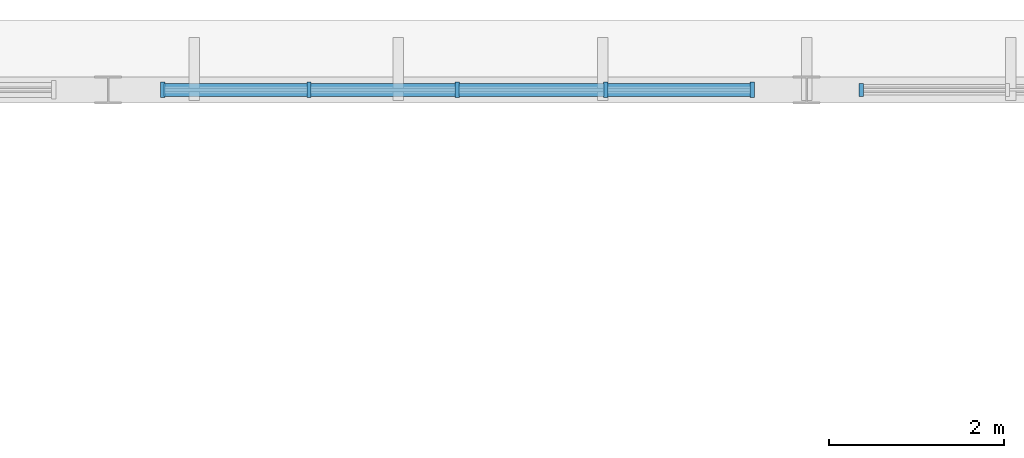
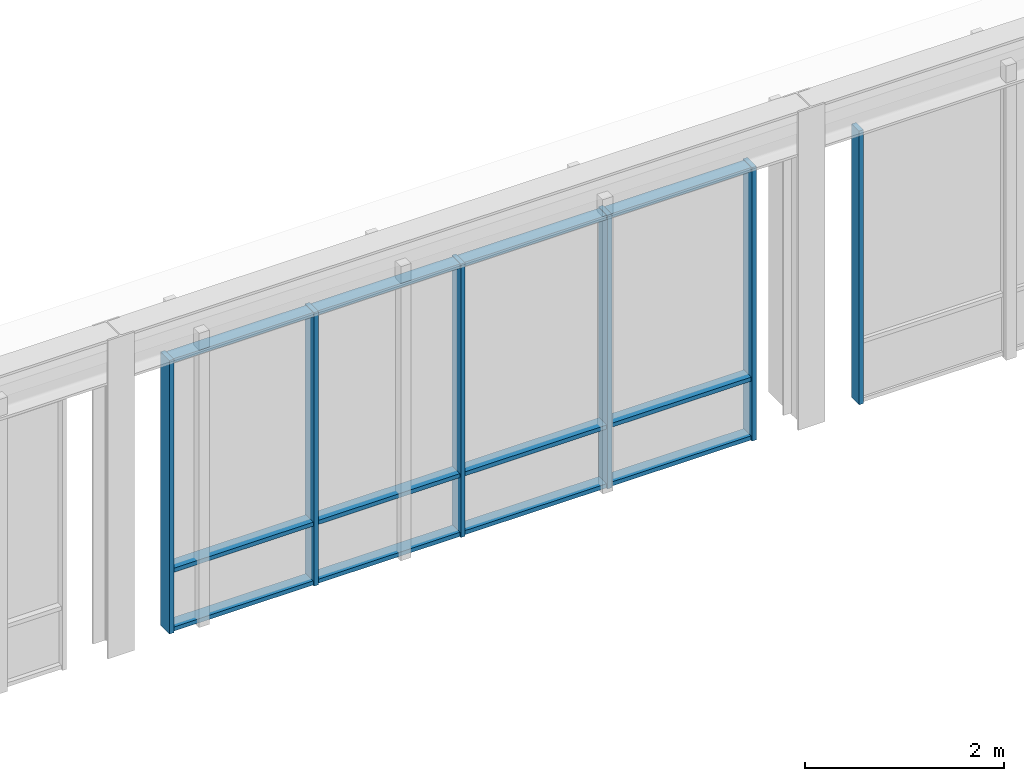
# One storey, part 43 of 98: 18 members, 2 elements without a shape of their own.
"""IFC4 building model written with IfcOpenShell, lengths in metres."""

from ifc_helpers import new_model, si_unit, direction, frame, origin, origin_2d, place, context, subcontext, project, spatial, rectangle, extrude, material, material_profile, profile_set, type_object, element, aggregate, save


model = new_model("IFC4")

# Units and contexts
model_context = context("Model", 3, precision=1e-05, world=origin(), true_north=direction((0.0, 1.0)))
body_context = subcontext(model_context, "Body", "Model", "MODEL_VIEW")
ifc_project = project(units=[si_unit("LENGTHUNIT", "METRE"), si_unit("AREAUNIT", "SQUARE_METRE"), si_unit("VOLUMEUNIT", "CUBIC_METRE"), si_unit("PLANEANGLEUNIT", "RADIAN"), si_unit("MASSUNIT", "GRAM", prefix="KILO")], contexts=[model_context])

# Site, building, storey
site_placement = place(None, origin())
site = spatial("IfcSite", under=ifc_project, at=site_placement, CompositionType="ELEMENT")
building_placement = place(site_placement, origin())
building = spatial("IfcBuilding", under=site, at=building_placement, Name="Larkveld Mobility Hub", CompositionType="ELEMENT")
storey_placement = place(building_placement, frame((0.0, 0.0, 4.5)))
storey = spatial("IfcBuildingStorey", under=building, at=storey_placement, Name="L01", CompositionType="ELEMENT", Elevation=4.5)

# Curtain wall, member
ifc_material = material(Name="Anodised aluminium 6063-T6", Category="aluminium")
curtain_wall_type_1 = type_object("IfcCurtainWallType", Name="CW-SYS-05", PredefinedType="NOTDEFINED", material=ifc_material)
curtain_wall_1_placement = place(storey_placement, origin())
curtain_wall_1 = element("IfcCurtainWall", 1, at=curtain_wall_1_placement, inside=storey, type_object=curtain_wall_type_1, Name="North Ridgeway Upper Concourse Curtain Wall CW-065", PredefinedType="NOTDEFINED")
ifc_material_profile_1 = material_profile(ifc_material, rectangle(XDim=0.050048828125, YDim=0.14990234375, at=origin_2d()), Name="ALU MULL 50x150")
ifc_profile_set_1 = profile_set([ifc_material_profile_1], Name="Anodised aluminium 6063-T6")
member_type_1 = type_object("IfcMemberType", Name="CW-MUL-01", PredefinedType="MULLION", material=ifc_profile_set_1)
member_1_placement = place(storey_placement, frame((168.625, 126.0, -0.001953125), z_axis=(0.0, 0.0, 1.0), x_axis=(-1.0, 0.0, 0.0)))
member_1 = element("IfcMember", 2, at=member_1_placement, type_object=member_type_1, Name="CW05 mullion 5", PredefinedType="MULLION", context=body_context, shape_type="SweptSolid", body=[
    extrude(rectangle(XDim=0.050048828125, YDim=0.14990234375, at=origin_2d()), origin(), (0.0, 0.0, 1.0), 3.35205078125),
])
aggregate(curtain_wall_1, [member_1])

# Curtain wall, members
curtain_wall_type_2 = type_object("IfcCurtainWallType", Name="CW-SYS-06", PredefinedType="NOTDEFINED", material=ifc_material)
curtain_wall_2_placement = place(storey_placement, origin())
curtain_wall_2 = element("IfcCurtainWall", 3, at=curtain_wall_2_placement, inside=storey, type_object=curtain_wall_type_2, Name="North Ridgeway Upper Concourse Curtain Wall CW-066", PredefinedType="NOTDEFINED")
ifc_material_profile_2 = material_profile(ifc_material, rectangle(XDim=0.050048828125, YDim=0.179931640625, at=origin_2d()), Name="ALU MULL 50x180")
ifc_profile_set_2 = profile_set([ifc_material_profile_2], Name="Anodised aluminium 6063-T6")
member_type_2 = type_object("IfcMemberType", Name="CW-MUL-02", PredefinedType="MULLION", material=ifc_profile_set_2)
member_2_placement = place(storey_placement, frame((167.375, 126.0, -0.001953125), z_axis=(0.0, 0.0, 1.0), x_axis=(-1.0, 0.0, 0.0)))
member_2 = element("IfcMember", 4, at=member_2_placement, type_object=member_type_2, Name="CW06 mullion 1", PredefinedType="MULLION", context=body_context, shape_type="SweptSolid", body=[
    extrude(rectangle(XDim=0.050048828125, YDim=0.179931640625, at=origin_2d()), origin(), (0.0, 0.0, 1.0), 3.35205078125),
])
member_3_placement = place(storey_placement, frame((165.699951171875, 126.0, -0.001953125), z_axis=(0.0, 0.0, 1.0), x_axis=(-1.0, 0.0, 0.0)))
member_3 = element("IfcMember", 5, at=member_3_placement, type_object=member_type_2, Name="CW06 mullion 2", PredefinedType="MULLION", context=body_context, shape_type="SweptSolid", body=[
    extrude(rectangle(XDim=0.050048828125, YDim=0.179931640625, at=origin_2d()), origin(), (0.0, 0.0, 1.0), 3.35205078125),
])
member_4_placement = place(storey_placement, frame((164.0, 126.0, -0.001953125), z_axis=(0.0, 0.0, 1.0), x_axis=(-1.0, 0.0, 0.0)))
member_4 = element("IfcMember", 6, at=member_4_placement, type_object=member_type_2, Name="CW06 mullion 3", PredefinedType="MULLION", context=body_context, shape_type="SweptSolid", body=[
    extrude(rectangle(XDim=0.050048828125, YDim=0.179931640625, at=origin_2d()), origin(), (0.0, 0.0, 1.0), 3.35205078125),
])
member_5_placement = place(storey_placement, frame((162.300048828125, 126.0, -0.001953125), z_axis=(0.0, 0.0, 1.0), x_axis=(-1.0, 0.0, 0.0)))
member_5 = element("IfcMember", 7, at=member_5_placement, type_object=member_type_2, Name="CW06 mullion 4", PredefinedType="MULLION", context=body_context, shape_type="SweptSolid", body=[
    extrude(rectangle(XDim=0.050048828125, YDim=0.179931640625, at=origin_2d()), origin(), (0.0, 0.0, 1.0), 3.35205078125),
])
member_6_placement = place(storey_placement, frame((160.625, 126.0, -0.001953125), z_axis=(0.0, 0.0, 1.0), x_axis=(-1.0, 0.0, 0.0)))
member_6 = element("IfcMember", 8, at=member_6_placement, type_object=member_type_2, Name="CW06 mullion 5", PredefinedType="MULLION", context=body_context, shape_type="SweptSolid", body=[
    extrude(rectangle(XDim=0.050048828125, YDim=0.179931640625, at=origin_2d()), origin(), (0.0, 0.0, 1.0), 3.35205078125),
])
ifc_material_profile_3 = material_profile(ifc_material, rectangle(XDim=0.14990234375, YDim=0.050048828125, at=origin_2d()), Name="ALU TRAN 50x150")
ifc_profile_set_3 = profile_set([ifc_material_profile_3], Name="Anodised aluminium 6063-T6")
member_type_3 = type_object("IfcMemberType", Name="CW-TRN-02", PredefinedType="USERDEFINED", material=ifc_profile_set_3)
member_7_placement = place(storey_placement, frame((167.364990234375, 126.0, 0.030029296875), z_axis=(-1.0, 0.0, 0.0), x_axis=(0.0, -1.0, 0.0)))
member_7 = element("IfcMember", 9, at=member_7_placement, type_object=member_type_3, Name="CW06 transom 1.1", ObjectType="TRANSOM", PredefinedType="USERDEFINED", context=body_context, shape_type="SweptSolid", body=[
    extrude(rectangle(XDim=0.14990234375, YDim=0.050048828125, at=origin_2d()), origin(), (0.0, 0.0, 1.0), 1.64990234375),
])
member_8_placement = place(storey_placement, frame((167.364990234375, 126.0, 0.75), z_axis=(-1.0, 0.0, 0.0), x_axis=(0.0, -1.0, 0.0)))
member_8 = element("IfcMember", 10, at=member_8_placement, type_object=member_type_3, Name="CW06 transom 1.2", ObjectType="TRANSOM", PredefinedType="USERDEFINED", context=body_context, shape_type="SweptSolid", body=[
    extrude(rectangle(XDim=0.14990234375, YDim=0.050048828125, at=origin_2d()), origin(), (0.0, 0.0, 1.0), 1.64990234375),
])
member_9_placement = place(storey_placement, frame((167.364990234375, 126.0, 3.318115234375), z_axis=(-1.0, 0.0, 0.0), x_axis=(0.0, -1.0, 0.0)))
member_9 = element("IfcMember", 11, at=member_9_placement, type_object=member_type_3, Name="CW06 transom 1.3", ObjectType="TRANSOM", PredefinedType="USERDEFINED", context=body_context, shape_type="SweptSolid", body=[
    extrude(rectangle(XDim=0.14990234375, YDim=0.050048828125, at=origin_2d()), origin(), (0.0, 0.0, 1.0), 1.64990234375),
])
member_10_placement = place(storey_placement, frame((165.68505859375, 126.0, 0.030029296875), z_axis=(-1.0, 0.0, 0.0), x_axis=(0.0, -1.0, 0.0)))
member_10 = element("IfcMember", 12, at=member_10_placement, type_object=member_type_3, Name="CW06 transom 2.1", ObjectType="TRANSOM", PredefinedType="USERDEFINED", context=body_context, shape_type="SweptSolid", body=[
    extrude(rectangle(XDim=0.14990234375, YDim=0.050048828125, at=origin_2d()), origin(), (0.0, 0.0, 1.0), 1.670166015625),
])
member_11_placement = place(storey_placement, frame((165.68505859375, 126.0, 0.75), z_axis=(-1.0, 0.0, 0.0), x_axis=(0.0, -1.0, 0.0)))
member_11 = element("IfcMember", 13, at=member_11_placement, type_object=member_type_3, Name="CW06 transom 2.2", ObjectType="TRANSOM", PredefinedType="USERDEFINED", context=body_context, shape_type="SweptSolid", body=[
    extrude(rectangle(XDim=0.14990234375, YDim=0.050048828125, at=origin_2d()), origin(), (0.0, 0.0, 1.0), 1.670166015625),
])
member_12_placement = place(storey_placement, frame((165.68505859375, 126.0, 3.318115234375), z_axis=(-1.0, 0.0, 0.0), x_axis=(0.0, -1.0, 0.0)))
member_12 = element("IfcMember", 14, at=member_12_placement, type_object=member_type_3, Name="CW06 transom 2.3", ObjectType="TRANSOM", PredefinedType="USERDEFINED", context=body_context, shape_type="SweptSolid", body=[
    extrude(rectangle(XDim=0.14990234375, YDim=0.050048828125, at=origin_2d()), origin(), (0.0, 0.0, 1.0), 1.670166015625),
])
member_13_placement = place(storey_placement, frame((163.985107421875, 126.0, 0.030029296875), z_axis=(-1.0, 0.0, 0.0), x_axis=(0.0, -1.0, 0.0)))
member_13 = element("IfcMember", 15, at=member_13_placement, type_object=member_type_3, Name="CW06 transom 3.1", ObjectType="TRANSOM", PredefinedType="USERDEFINED", context=body_context, shape_type="SweptSolid", body=[
    extrude(rectangle(XDim=0.14990234375, YDim=0.050048828125, at=origin_2d()), origin(), (0.0, 0.0, 1.0), 1.670166015625),
])
member_14_placement = place(storey_placement, frame((163.985107421875, 126.0, 0.75), z_axis=(-1.0, 0.0, 0.0), x_axis=(0.0, -1.0, 0.0)))
member_14 = element("IfcMember", 16, at=member_14_placement, type_object=member_type_3, Name="CW06 transom 3.2", ObjectType="TRANSOM", PredefinedType="USERDEFINED", context=body_context, shape_type="SweptSolid", body=[
    extrude(rectangle(XDim=0.14990234375, YDim=0.050048828125, at=origin_2d()), origin(), (0.0, 0.0, 1.0), 1.670166015625),
])
member_15_placement = place(storey_placement, frame((163.985107421875, 126.0, 3.318115234375), z_axis=(-1.0, 0.0, 0.0), x_axis=(0.0, -1.0, 0.0)))
member_15 = element("IfcMember", 17, at=member_15_placement, type_object=member_type_3, Name="CW06 transom 3.3", ObjectType="TRANSOM", PredefinedType="USERDEFINED", context=body_context, shape_type="SweptSolid", body=[
    extrude(rectangle(XDim=0.14990234375, YDim=0.050048828125, at=origin_2d()), origin(), (0.0, 0.0, 1.0), 1.670166015625),
])
member_16_placement = place(storey_placement, frame((162.284912109375, 126.0, 0.030029296875), z_axis=(-1.0, 0.0, 0.0), x_axis=(0.0, -1.0, 0.0)))
member_16 = element("IfcMember", 18, at=member_16_placement, type_object=member_type_3, Name="CW06 transom 4.1", ObjectType="TRANSOM", PredefinedType="USERDEFINED", context=body_context, shape_type="SweptSolid", body=[
    extrude(rectangle(XDim=0.14990234375, YDim=0.050048828125, at=origin_2d()), origin(), (0.0, 0.0, 1.0), 1.64990234375),
])
member_17_placement = place(storey_placement, frame((162.284912109375, 126.0, 0.75), z_axis=(-1.0, 0.0, 0.0), x_axis=(0.0, -1.0, 0.0)))
member_17 = element("IfcMember", 19, at=member_17_placement, type_object=member_type_3, Name="CW06 transom 4.2", ObjectType="TRANSOM", PredefinedType="USERDEFINED", context=body_context, shape_type="SweptSolid", body=[
    extrude(rectangle(XDim=0.14990234375, YDim=0.050048828125, at=origin_2d()), origin(), (0.0, 0.0, 1.0), 1.64990234375),
])
member_18_placement = place(storey_placement, frame((162.284912109375, 126.0, 3.318115234375), z_axis=(-1.0, 0.0, 0.0), x_axis=(0.0, -1.0, 0.0)))
member_18 = element("IfcMember", 20, at=member_18_placement, type_object=member_type_3, Name="CW06 transom 4.3", ObjectType="TRANSOM", PredefinedType="USERDEFINED", context=body_context, shape_type="SweptSolid", body=[
    extrude(rectangle(XDim=0.14990234375, YDim=0.050048828125, at=origin_2d()), origin(), (0.0, 0.0, 1.0), 1.64990234375),
])
aggregate(curtain_wall_2, [member_2, member_3, member_4, member_5, member_6, member_7, member_8, member_9, member_10, member_11, member_12, member_13, member_14, member_15, member_16, member_17, member_18])

save(model, "model.ifc")
